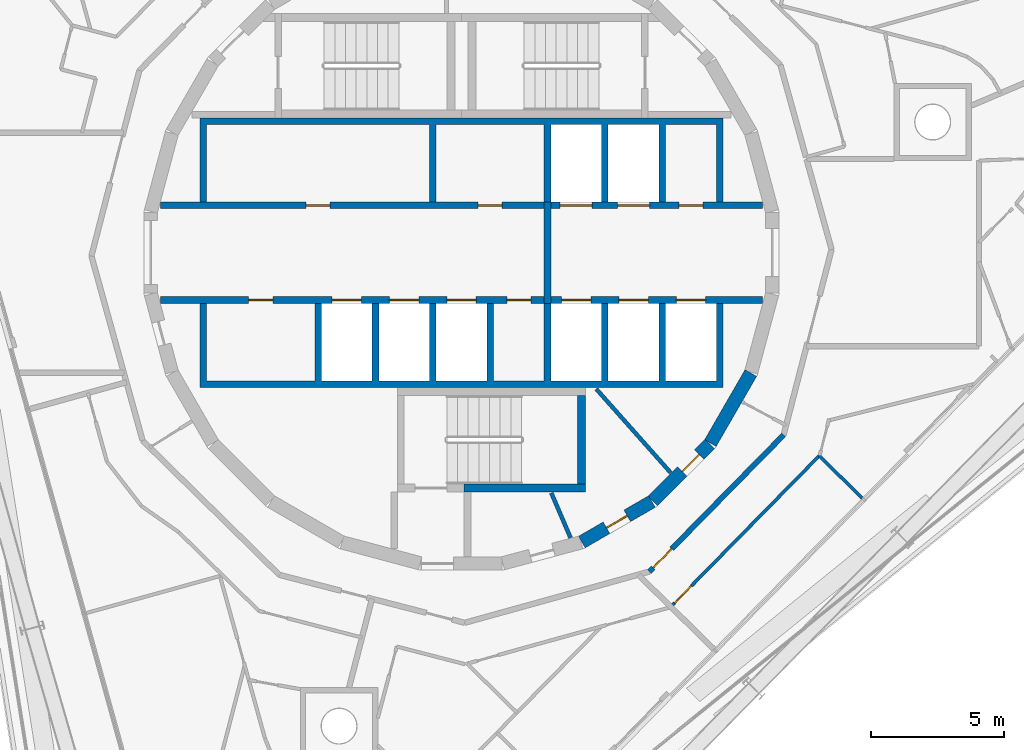
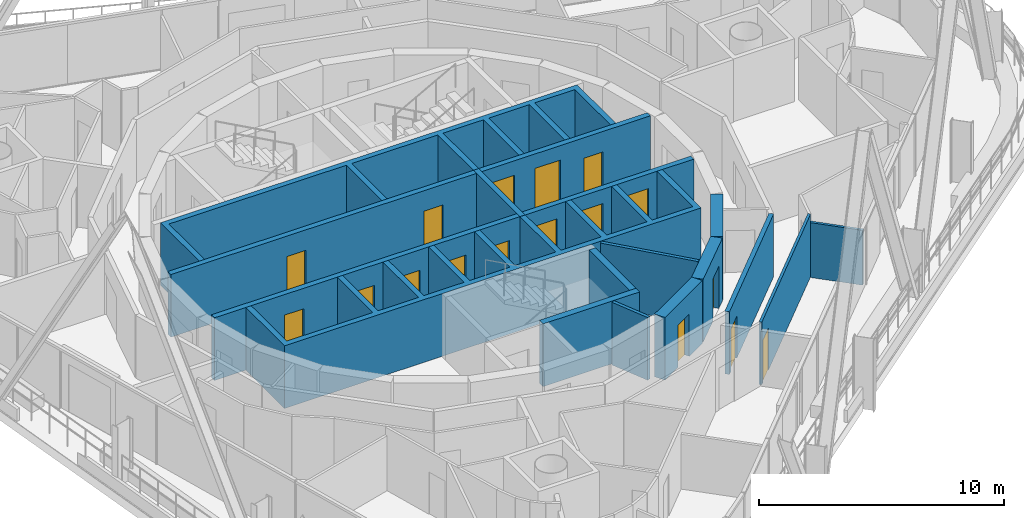
# One storey, part 11 of 18: 17 doors, 17 walls, 17 openings.
"""IFC4 building model written with IfcOpenShell, lengths in metres."""

import ifcopenshell
import ifcopenshell.guid

model = None  # the IFC model being written
_history = None  # IfcOwnerHistory: only IFC2X3 demands one
_inside = {}  # id of a spatial element -> (the spatial element, [elements in it])
_under = {}  # id of a project, library or spatial element -> (it, [spatial elements below it])
_declared = {}  # id of a project -> (the project, [libraries it declares])
_typed = {}  # id of a type object -> (the type object, [elements of that type])
_made_of = {}  # id of a material, layer set ... -> (it, [elements and type objects made of it])


def new_model(schema):
    """Start an empty IFC model of exactly this schema.

    Asked for "IFC4X3", IfcOpenShell would pick the latest addendum, in which some entities
    have other attributes; the version numbers below select the first issue.
    IFC2X3 requires an IfcOwnerHistory on every rooted entity: one is made here for all.
    """
    global model, _history
    if schema == "IFC4X3":
        model = ifcopenshell.file(schema_version=(4, 3, 0, 0))
    else:
        model = ifcopenshell.file(schema=schema)
    _inside.clear()
    _under.clear()
    _declared.clear()
    _typed.clear()
    _made_of.clear()
    _history = None
    if model.schema == "IFC2X3":
        org = make("IfcOrganization", Name="unknown")
        user = make(
            "IfcPersonAndOrganization",
            ThePerson=make("IfcPerson", FamilyName="unknown"),
            TheOrganization=org,
        )
        app = make(
            "IfcApplication",
            ApplicationDeveloper=org,
            Version="unknown",
            ApplicationFullName="unknown",
            ApplicationIdentifier="unknown",
        )
        _history = make(
            "IfcOwnerHistory",
            OwningUser=user,
            OwningApplication=app,
            ChangeAction="ADDED",
            CreationDate=0,
        )
    return model


def make(cls, **values):
    """One entity of the class cls with the attributes given. An attribute that is None is left unset."""
    return model.create_entity(
        cls, **{name: value for name, value in values.items() if value is not None}
    )


def rooted(cls, **values):
    """An entity with a GlobalId (a new one), such as an element, a storey or a relation."""
    return make(cls, GlobalId=ifcopenshell.guid.new(), OwnerHistory=_history, **values)


def si_unit(unit_type, name, prefix=None):
    """IfcSIUnit, for example si_unit("LENGTHUNIT", "METRE", prefix="MILLI")."""
    return make("IfcSIUnit", UnitType=unit_type, Prefix=prefix, Name=name)


def assignment(units):
    """IfcUnitAssignment: the units of a project."""
    return None if units is None else make("IfcUnitAssignment", Units=units)


def point(xyz):
    """IfcCartesianPoint."""
    return None if xyz is None else make("IfcCartesianPoint", Coordinates=xyz)


def direction(xyz):
    """IfcDirection."""
    return None if xyz is None else make("IfcDirection", DirectionRatios=xyz)


def frame(location, z_axis=None, x_axis=None):
    """IfcAxis2Placement3D, a coordinate frame: its origin and axes. An axis left out is left unset."""
    return make(
        "IfcAxis2Placement3D",
        Location=point(location),
        Axis=direction(z_axis),
        RefDirection=direction(x_axis),
    )


def frame_2d(location, x_axis=None):
    """IfcAxis2Placement2D, a coordinate frame in the plane: its origin and x axis."""
    return make(
        "IfcAxis2Placement2D", Location=point(location), RefDirection=direction(x_axis)
    )


def origin():
    """The frame at (0, 0, 0) with its axes left unset."""
    return frame((0.0, 0.0, 0.0))


def place(relative_to, where):
    """IfcLocalPlacement: puts the frame where relative to a parent placement (None: the world)."""
    return make(
        "IfcLocalPlacement", PlacementRelTo=relative_to, RelativePlacement=where
    )


def context(
    kind, dimensions, precision=None, world=None, true_north=None, identifier=None
):
    """IfcGeometricRepresentationContext, for example the 3D "Model" context."""
    return make(
        "IfcGeometricRepresentationContext",
        ContextIdentifier=identifier,
        ContextType=kind,
        CoordinateSpaceDimension=dimensions,
        Precision=precision,
        WorldCoordinateSystem=world,
        TrueNorth=true_north,
    )


def subcontext(parent, identifier, kind, view, scale=None):
    """IfcGeometricRepresentationSubContext, for example "Body" below "Model"."""
    return make(
        "IfcGeometricRepresentationSubContext",
        ContextIdentifier=identifier,
        ContextType=kind,
        ParentContext=parent,
        TargetScale=scale,
        TargetView=view,
    )


def project(units=None, contexts=None):
    """IfcProject with its units and contexts."""
    return rooted(
        "IfcProject",
        Name="project",
        RepresentationContexts=contexts,
        UnitsInContext=assignment(units),
    )


def spatial(cls, under=None, at=None, **own):
    """A site, building, storey or space (cls), placed at a placement, below another one or the project."""
    s = rooted(cls, ObjectPlacement=at, **own)
    if under is not None:
        _under.setdefault(under.id(), (under, []))[1].append(s)
    return s


def polyline(points):
    """IfcPolyline through the points."""
    return make("IfcPolyline", Points=[point(p) for p in points])


def profile(cls, at=None, kind="AREA", **sizes):
    """A parametric profile (cls). Its sizes go by their IFC names, for example OverallWidth=200.0."""
    return make(cls, ProfileType=kind, Position=at, **sizes)


def rectangle(**sizes):
    """IfcRectangleProfileDef."""
    return profile("IfcRectangleProfileDef", **sizes)


def outline(outer, holes=None, kind="AREA"):
    """IfcArbitraryClosedProfileDef: a profile drawn as a closed curve; with holes, ...WithVoids."""
    if holes is None:
        return make("IfcArbitraryClosedProfileDef", ProfileType=kind, OuterCurve=outer)
    return make(
        "IfcArbitraryProfileDefWithVoids",
        ProfileType=kind,
        OuterCurve=outer,
        InnerCurves=holes,
    )


def extrude(swept, where, along, depth):
    """IfcExtrudedAreaSolid: the profile swept, set in the frame where, extruded along a direction by depth."""
    return make(
        "IfcExtrudedAreaSolid",
        SweptArea=swept,
        Position=where,
        ExtrudedDirection=direction(along),
        Depth=depth,
    )


def shape(context_of_items, identifier, shape_type, items):
    """IfcShapeRepresentation: the items that make up one representation, for example the "Body"."""
    return make(
        "IfcShapeRepresentation",
        ContextOfItems=context_of_items,
        RepresentationIdentifier=identifier,
        RepresentationType=shape_type,
        Items=items,
    )


def material(Name=None, Category=None):
    """IfcMaterial."""
    return make("IfcMaterial", Name=Name, Category=Category)


def layer(
    of_material, thickness, ventilated=None, Name=None, Category=None, Priority=None
):
    """IfcMaterialLayer: one layer of a wall or slab, of a material (None: an air gap)."""
    return make(
        "IfcMaterialLayer",
        Material=of_material,
        LayerThickness=thickness,
        IsVentilated=ventilated,
        Name=Name,
        Category=Category,
        Priority=Priority,
    )


def layer_set(layers, Name=None):
    """IfcMaterialLayerSet."""
    return make("IfcMaterialLayerSet", MaterialLayers=layers, LayerSetName=Name)


def made_of(thing, what):
    """Note that an element or type object is made of a material, layer set ...; save() writes the relation."""
    if what is not None:
        _made_of.setdefault(what.id(), (what, []))[1].append(thing)
    return thing


def type_object(cls, material=None, **own):
    """A type object (cls), such as IfcWallType, which elements share."""
    return made_of(rooted(cls, **own), material)


def element(
    cls,
    number,
    at=None,
    inside=None,
    cuts=None,
    type_object=None,
    material=None,
    context=None,
    identifier="Body",
    shape_type=None,
    held_by="IfcProductDefinitionShape",
    body=None,
    shapes=None,
    **own,
):
    """One element of the class cls, such as IfcWall. Its Tag is "e" and its number.

    at: its placement. inside: the storey or other place that contains it. cuts: it is an
    opening in that element (IfcRelVoidsElement). A single representation is given by context,
    identifier, shape_type and body (its items); several are given by shapes. held_by: the class
    of the entity that holds the representations. save() writes the other relations.
    """
    e = rooted(cls, Tag="e%d" % number, ObjectPlacement=at, **own)
    if body is not None:
        shapes = [shape(context, identifier, shape_type, body)]
    if shapes is not None:
        e.Representation = make(held_by, Representations=shapes)
    if inside is not None:
        _inside.setdefault(inside.id(), (inside, []))[1].append(e)
    if cuts is not None:
        rooted(
            "IfcRelVoidsElement", RelatingBuildingElement=cuts, RelatedOpeningElement=e
        )
    if type_object is not None:
        _typed.setdefault(type_object.id(), (type_object, []))[1].append(e)
    return made_of(e, material)


def fill(opening, filler):
    """IfcRelFillsElement: the door or window that sits in an opening."""
    return rooted(
        "IfcRelFillsElement",
        RelatingOpeningElement=opening,
        RelatedBuildingElement=filler,
    )


def aggregate(whole, parts):
    """IfcRelAggregates: a whole, such as a stair, and the parts it consists of."""
    return rooted("IfcRelAggregates", RelatingObject=whole, RelatedObjects=parts)


def save(model, path):
    """Write the relations noted so far, then the file.

    IfcRelAggregates (storeys below a building ...), IfcRelContainedInSpatialStructure (elements
    in a storey), IfcRelDefinesByType, IfcRelAssociatesMaterial and IfcRelDeclares: one each for
    every whole, place, type object, material and project.
    """
    for whole, parts in _under.values():
        aggregate(whole, parts)
    for where, things in _inside.values():
        rooted(
            "IfcRelContainedInSpatialStructure",
            RelatedElements=things,
            RelatingStructure=where,
        )
    for kind, things in _typed.values():
        rooted("IfcRelDefinesByType", RelatedObjects=things, RelatingType=kind)
    for what, things in _made_of.values():
        rooted("IfcRelAssociatesMaterial", RelatedObjects=things, RelatingMaterial=what)
    for by, libraries in _declared.values():
        rooted("IfcRelDeclares", RelatingContext=by, RelatedDefinitions=libraries)
    model.write(path)


model = new_model("IFC4")

# Units and contexts
model_context = context("Model", 3, precision=1e-05, world=origin(), true_north=direction((0.0, 1.0)))
body_context = subcontext(model_context, "Body", "Model", "MODEL_VIEW")
ifc_project = project(units=[si_unit("LENGTHUNIT", "METRE"), si_unit("AREAUNIT", "SQUARE_METRE"), si_unit("VOLUMEUNIT", "CUBIC_METRE"), si_unit("PLANEANGLEUNIT", "RADIAN"), si_unit("MASSUNIT", "GRAM", prefix="KILO")], contexts=[model_context])

# Site, building, storey
site_placement = place(None, origin())
site = spatial("IfcSite", under=ifc_project, at=site_placement, CompositionType="ELEMENT")
building_placement = place(site_placement, origin())
building = spatial("IfcBuilding", under=site, at=building_placement, Name="Spindle Arch Residences", CompositionType="ELEMENT")
storey_placement = place(building_placement, frame((0.0, 0.0, 298.199951171875)))
storey = spatial("IfcBuildingStorey", under=building, at=storey_placement, Name="L76", CompositionType="ELEMENT", Elevation=298.199951171875)

# Wall, opening, door
ifc_material_1 = material(Name="Concrete C50/60", Category="concrete")
ifc_layer_1 = layer(ifc_material_1, 0.5)
ifc_layer_set_1 = layer_set([ifc_layer_1], Name="Core outline wall 500")
wall_type_1 = type_object("IfcWallType", Name="Core outline wall 500", PredefinedType="SHEAR", material=ifc_layer_set_1)
wall_1_placement = place(storey_placement, frame((4.510498046875, -10.84521484375, 0.0), z_axis=(0.0, 0.0, 1.0), x_axis=(0.865975092491, 0.500087131594, 0.0)))
wall_1 = element("IfcWall", 1, at=wall_1_placement, inside=storey, type_object=wall_type_1, Name="Core outline wall 2", PredefinedType="SHEAR", context=body_context, shape_type="SweptSolid", body=[
    extrude(rectangle(XDim=3.03271484375, YDim=0.5, at=frame_2d((1.516357421875, 0.0))), origin(), (0.0, 0.0, 1.0), 3.1201171875),
])
opening_1_placement = place(wall_1_placement, frame((1.06640625, 0.0, 0.0)))
opening_1 = element("IfcOpeningElement", 2, at=opening_1_placement, cuts=wall_1, Name="Opening R8A0-WD09", PredefinedType="OPENING", context=body_context, shape_type="SweptSolid", body=[
    extrude(rectangle(XDim=0.89990234375, YDim=2.10009765625, at=frame_2d((0.449951171875, 1.050048828125))), frame((0.0, 0.260009765625, 0.0), z_axis=(0.0, -1.0, 0.0), x_axis=(1.0, 0.0, 0.0)), (0.0, 0.0, 1.0), 0.52001953125),
])
ifc_material_2 = material(Name="Steel, fire-resisting door", Category="steel")
door_type_1 = type_object("IfcDoorType", Name="Service room door 900x2100", OperationType="SINGLE_SWING_LEFT", PredefinedType="DOOR", material=ifc_material_2)
door_1_placement = place(opening_1_placement, origin())
door_1 = element("IfcDoor", 3, at=door_1_placement, inside=storey, type_object=door_type_1, Name="Service room door R8A0-WD09", OperationType="SINGLE_SWING_LEFT", OverallHeight=2.10009765625, OverallWidth=0.89990234375, PredefinedType="DOOR", context=body_context, shape_type="SweptSolid", body=[
    extrude(rectangle(XDim=0.89990234375, YDim=2.10009765625, at=frame_2d((0.449951171875, 1.050048828125))), frame((0.0, 0.02490234375, 0.0), z_axis=(0.0, -1.0, 0.0), x_axis=(1.0, 0.0, 0.0)), (0.0, 0.0, 1.0), 0.050048828125),
])
fill(opening_1, door_1)

wall_2_placement = place(storey_placement, frame((7.163818359375, -9.30810546875, 0.0), z_axis=(0.0, 0.0, 1.0), x_axis=(0.707106781187, 0.707106781187, 0.0)))
wall_2 = element("IfcWall", 4, at=wall_2_placement, inside=storey, type_object=wall_type_1, Name="Core outline wall 3", PredefinedType="SHEAR", context=body_context, shape_type="SweptSolid", body=[
    extrude(rectangle(XDim=3.032470703125, YDim=0.5, at=frame_2d((1.51611328125, 0.0))), origin(), (0.0, 0.0, 1.0), 3.1201171875),
])
opening_2_placement = place(wall_2_placement, frame((1.56640625, 0.0, 0.0)))
opening_2 = element("IfcOpeningElement", 5, at=opening_2_placement, cuts=wall_2, Name="Opening R8A0-WD07", PredefinedType="OPENING", context=body_context, shape_type="SweptSolid", body=[
    extrude(rectangle(XDim=0.89990234375, YDim=2.10009765625, at=frame_2d((0.449951171875, 1.050048828125))), frame((0.0, 0.260009765625, 0.0), z_axis=(0.0, -1.0, 0.0), x_axis=(1.0, 0.0, 0.0)), (0.0, 0.0, 1.0), 0.52001953125),
])
door_2_placement = place(opening_2_placement, origin())
door_2 = element("IfcDoor", 6, at=door_2_placement, inside=storey, type_object=door_type_1, Name="Service room door R8A0-WD07", OperationType="SINGLE_SWING_LEFT", OverallHeight=2.10009765625, OverallWidth=0.89990234375, PredefinedType="DOOR", context=body_context, shape_type="SweptSolid", body=[
    extrude(rectangle(XDim=0.89990234375, YDim=2.10009765625, at=frame_2d((0.449951171875, 1.050048828125))), frame((0.0, 0.02490234375, 0.0), z_axis=(0.0, -1.0, 0.0), x_axis=(1.0, 0.0, 0.0)), (0.0, 0.0, 1.0), 0.050048828125),
])
fill(opening_2, door_2)

# Wall
wall_3_placement = place(storey_placement, frame((9.32861328125, -7.13671875, 0.0), z_axis=(0.0, 0.0, 1.0), x_axis=(0.500087131594, 0.865975092491, 0.0)))
element("IfcWall", 7, at=wall_3_placement, inside=storey, type_object=wall_type_1, Name="Core outline wall 4", PredefinedType="SHEAR", context=body_context, shape_type="SweptSolid", body=[
    extrude(rectangle(XDim=3.03271484375, YDim=0.5, at=frame_2d((1.516357421875, 0.0))), origin(), (0.0, 0.0, 1.0), 3.1201171875),
])

# Wall, opening, door
ifc_material_3 = material(Name="Calcium silicate block, plastered")
ifc_layer_2 = layer(ifc_material_3, 0.199951171875)
ifc_layer_set_2 = layer_set([ifc_layer_2], Name="Corridor wall 200")
wall_type_2 = type_object("IfcWallType", Name="Corridor wall 200", PredefinedType="STANDARD", material=ifc_layer_set_2)
wall_4_placement = place(storey_placement, frame((7.041015625, -11.953125, 0.0), z_axis=(0.0, 0.0, 1.0), x_axis=(0.70090916255, 0.713250549143, 0.0)))
wall_4 = element("IfcWall", 8, at=wall_4_placement, inside=storey, type_object=wall_type_2, Name="Corridor wall R8A0-W016", PredefinedType="STANDARD", context=body_context, shape_type="SweptSolid", body=[
    extrude(rectangle(XDim=7.180908203125, YDim=0.199951171875, at=frame_2d((3.59033203125, 0.0))), origin(), (0.0, 0.0, 1.0), 3.1201171875),
])
opening_3_placement = place(wall_4_placement, frame((0.199951171875, 0.0, 0.0)))
opening_3 = element("IfcOpeningElement", 9, at=opening_3_placement, cuts=wall_4, Name="Opening R8A0-FD06", PredefinedType="OPENING", context=body_context, shape_type="SweptSolid", body=[
    extrude(rectangle(XDim=1.0, YDim=2.10009765625, at=frame_2d((0.5, 1.050048828125))), frame((0.0, 0.10986328125, 0.0), z_axis=(0.0, -1.0, 0.0), x_axis=(1.0, 0.0, 0.0)), (0.0, 0.0, 1.0), 0.219970703125),
])
ifc_material_4 = material(Name="Timber, fire-resisting door set", Category="wood")
door_type_2 = type_object("IfcDoorType", Name="Flat entrance door 1000x2100", OperationType="NOTDEFINED", PredefinedType="DOOR", material=ifc_material_4)
door_3_placement = place(opening_3_placement, origin())
door_3 = element("IfcDoor", 10, at=door_3_placement, inside=storey, type_object=door_type_2, Name="Flat entrance door R8A0-FD06", OperationType="SINGLE_SWING_LEFT", OverallHeight=2.10009765625, OverallWidth=1.0, PredefinedType="DOOR", context=body_context, shape_type="SweptSolid", body=[
    extrude(rectangle(XDim=1.0, YDim=2.10009765625, at=frame_2d((0.5, 1.050048828125))), frame((0.0, 0.02490234375, 0.0), z_axis=(0.0, -1.0, 0.0), x_axis=(1.0, 0.0, 0.0)), (0.0, 0.0, 1.0), 0.050048828125),
])
fill(opening_3, door_3)

# Wall, openings, doors
ifc_material_5 = material(Name="Concrete C40/50", Category="concrete")
ifc_layer_3 = layer(ifc_material_5, 0.25)
ifc_layer_set_3 = layer_set([ifc_layer_3], Name="Fire-lift lobby wall 250")
wall_type_3 = type_object("IfcWallType", Name="Fire-lift lobby wall 250", PredefinedType="SHEAR", material=ifc_layer_set_3)
wall_5_placement = place(storey_placement, frame((3.35009765625, 1.77490234375, 0.0), z_axis=(0.0, 0.0, 1.0), x_axis=(1.0, 0.0, 0.0)))
wall_5 = element("IfcWall", 11, at=wall_5_placement, inside=storey, type_object=wall_type_3, Name="Lift shaft front wall NE", PredefinedType="SHEAR", context=body_context, shape_type="SweptSolid", body=[
    extrude(rectangle(XDim=7.929931640625, YDim=0.25, at=frame_2d((3.96484375, 0.0))), origin(), (0.0, 0.0, 1.0), 3.1201171875),
])
opening_4_placement = place(wall_5_placement, frame((0.35009765625, 0.0, 0.0)))
opening_4 = element("IfcOpeningElement", 12, at=opening_4_placement, cuts=wall_5, Name="Opening R8A0-SLD01", PredefinedType="OPENING", context=body_context, shape_type="SweptSolid", body=[
    extrude(rectangle(XDim=1.199951171875, YDim=2.39990234375, at=frame_2d((0.60009765625, 1.199951171875))), frame((0.0, 0.135009765625, 0.0), z_axis=(0.0, -1.0, 0.0), x_axis=(1.0, 0.0, 0.0)), (0.0, 0.0, 1.0), 0.27001953125),
])
opening_5_placement = place(wall_5_placement, frame((2.5, 0.0, 0.0)))
opening_5 = element("IfcOpeningElement", 13, at=opening_5_placement, cuts=wall_5, Name="Opening R8A0-SLD02", PredefinedType="OPENING", context=body_context, shape_type="SweptSolid", body=[
    extrude(rectangle(XDim=1.199951171875, YDim=2.39990234375, at=frame_2d((0.60009765625, 1.199951171875))), frame((0.0, 0.135009765625, 0.0), z_axis=(0.0, -1.0, 0.0), x_axis=(1.0, 0.0, 0.0)), (0.0, 0.0, 1.0), 0.27001953125),
])
opening_6_placement = place(wall_5_placement, frame((4.800048828125, 0.0, 0.0)))
opening_6 = element("IfcOpeningElement", 14, at=opening_6_placement, cuts=wall_5, Name="Opening R8A0-WD03", PredefinedType="OPENING", context=body_context, shape_type="SweptSolid", body=[
    extrude(rectangle(XDim=0.89990234375, YDim=2.10009765625, at=frame_2d((0.449951171875, 1.050048828125))), frame((0.0, 0.135009765625, 0.0), z_axis=(0.0, -1.0, 0.0), x_axis=(1.0, 0.0, 0.0)), (0.0, 0.0, 1.0), 0.27001953125),
])
ifc_material_6 = material(Name="Steel, fire-resisting landing door", Category="steel")
door_type_3 = type_object("IfcDoorType", Name="Service lift landing door 1200x2400", OperationType="DOUBLE_DOOR_SLIDING", PredefinedType="DOOR", material=ifc_material_6)
door_4_placement = place(opening_4_placement, origin())
door_4 = element("IfcDoor", 15, at=door_4_placement, inside=storey, type_object=door_type_3, Name="Service lift landing door R8A0-SLD01", OperationType="DOUBLE_DOOR_SLIDING", OverallHeight=2.39990234375, OverallWidth=1.199951171875, PredefinedType="DOOR", context=body_context, shape_type="SweptSolid", body=[
    extrude(rectangle(XDim=1.199951171875, YDim=2.39990234375, at=frame_2d((0.60009765625, 1.199951171875))), frame((0.0, 0.02490234375, 0.0), z_axis=(0.0, -1.0, 0.0), x_axis=(1.0, 0.0, 0.0)), (0.0, 0.0, 1.0), 0.050048828125),
])
fill(opening_4, door_4)
door_5_placement = place(opening_5_placement, origin())
door_5 = element("IfcDoor", 16, at=door_5_placement, inside=storey, type_object=door_type_3, Name="Service lift landing door R8A0-SLD02", OperationType="DOUBLE_DOOR_SLIDING", OverallHeight=2.39990234375, OverallWidth=1.199951171875, PredefinedType="DOOR", context=body_context, shape_type="SweptSolid", body=[
    extrude(rectangle(XDim=1.199951171875, YDim=2.39990234375, at=frame_2d((0.60009765625, 1.199951171875))), frame((0.0, 0.02490234375, 0.0), z_axis=(0.0, -1.0, 0.0), x_axis=(1.0, 0.0, 0.0)), (0.0, 0.0, 1.0), 0.050048828125),
])
fill(opening_5, door_5)
door_6_placement = place(opening_6_placement, origin())
door_6 = element("IfcDoor", 17, at=door_6_placement, inside=storey, type_object=door_type_1, Name="Service room door R8A0-WD03", OperationType="SINGLE_SWING_LEFT", OverallHeight=2.10009765625, OverallWidth=0.89990234375, PredefinedType="DOOR", context=body_context, shape_type="SweptSolid", body=[
    extrude(rectangle(XDim=0.89990234375, YDim=2.10009765625, at=frame_2d((0.449951171875, 1.050048828125))), frame((0.0, 0.02490234375, 0.0), z_axis=(0.0, -1.0, 0.0), x_axis=(1.0, 0.0, 0.0)), (0.0, 0.0, 1.0), 0.050048828125),
])
fill(opening_6, door_6)

# Wall
wall_6_placement = place(storey_placement, frame((3.22509765625, -1.89990234375, 0.0), z_axis=(0.0, 0.0, 1.0), x_axis=(0.0, 1.0, 0.0)))
element("IfcWall", 18, at=wall_6_placement, inside=storey, type_object=wall_type_3, Name="Fire-fighting lobby partition", PredefinedType="SHEAR", context=body_context, shape_type="SweptSolid", body=[
    extrude(rectangle(XDim=3.7998046875, YDim=0.25, at=frame_2d((1.89990234375, 0.0))), origin(), (0.0, 0.0, 1.0), 3.1201171875),
])

# Wall, openings, doors
ifc_material_7 = material(Name="Concrete C50/60", Category="concrete")
ifc_layer_4 = layer(ifc_material_7, 0.25)
ifc_layer_set_4 = layer_set([ifc_layer_4], Name="Fire-lift shaft wall 250")
wall_type_4 = type_object("IfcWallType", Name="Fire-lift shaft wall 250", PredefinedType="SHEAR", material=ifc_layer_set_4)
wall_7_placement = place(storey_placement, frame((3.35009765625, -1.77490234375, 0.0), z_axis=(0.0, 0.0, 1.0), x_axis=(1.0, 0.0, 0.0)))
wall_7 = element("IfcWall", 19, at=wall_7_placement, inside=storey, type_object=wall_type_4, Name="Lift shaft front wall SE", PredefinedType="SHEAR", context=body_context, shape_type="SweptSolid", body=[
    extrude(rectangle(XDim=7.929931640625, YDim=0.25, at=frame_2d((3.96484375, 0.0))), origin(), (0.0, 0.0, 1.0), 3.1201171875),
])
opening_7_placement = place(wall_7_placement, frame((0.39990234375, 0.0, 0.0)))
opening_7 = element("IfcOpeningElement", 20, at=opening_7_placement, cuts=wall_7, Name="Opening R8A0-FLD01", PredefinedType="OPENING", context=body_context, shape_type="SweptSolid", body=[
    extrude(rectangle(XDim=1.10009765625, YDim=2.39990234375, at=frame_2d((0.550048828125, 1.199951171875))), frame((0.0, 0.135009765625, 0.0), z_axis=(0.0, -1.0, 0.0), x_axis=(1.0, 0.0, 0.0)), (0.0, 0.0, 1.0), 0.27001953125),
])
opening_8_placement = place(wall_7_placement, frame((2.550048828125, 0.0, 0.0)))
opening_8 = element("IfcOpeningElement", 21, at=opening_8_placement, cuts=wall_7, Name="Opening R8A0-FLD02", PredefinedType="OPENING", context=body_context, shape_type="SweptSolid", body=[
    extrude(rectangle(XDim=1.10009765625, YDim=2.39990234375, at=frame_2d((0.550048828125, 1.199951171875))), frame((0.0, 0.135009765625, 0.0), z_axis=(0.0, -1.0, 0.0), x_axis=(1.0, 0.0, 0.0)), (0.0, 0.0, 1.0), 0.27001953125),
])
opening_9_placement = place(wall_7_placement, frame((4.699951171875, 0.0, 0.0)))
opening_9 = element("IfcOpeningElement", 22, at=opening_9_placement, cuts=wall_7, Name="Opening R8A0-FLD03", PredefinedType="OPENING", context=body_context, shape_type="SweptSolid", body=[
    extrude(rectangle(XDim=1.10009765625, YDim=2.39990234375, at=frame_2d((0.550048828125, 1.199951171875))), frame((0.0, 0.135009765625, 0.0), z_axis=(0.0, -1.0, 0.0), x_axis=(1.0, 0.0, 0.0)), (0.0, 0.0, 1.0), 0.27001953125),
])
ifc_material_8 = material(Name="Steel, fire-resisting landing door", Category="steel")
door_type_4 = type_object("IfcDoorType", Name="Fire-fighting lift landing door 1100x2400", OperationType="DOUBLE_DOOR_SLIDING", PredefinedType="DOOR", material=ifc_material_8)
door_7_placement = place(opening_7_placement, origin())
door_7 = element("IfcDoor", 23, at=door_7_placement, inside=storey, type_object=door_type_4, Name="Fire-fighting lift landing door R8A0-FLD01", OperationType="DOUBLE_DOOR_SLIDING", OverallHeight=2.39990234375, OverallWidth=1.10009765625, PredefinedType="DOOR", context=body_context, shape_type="SweptSolid", body=[
    extrude(rectangle(XDim=1.10009765625, YDim=2.39990234375, at=frame_2d((0.550048828125, 1.199951171875))), frame((0.0, 0.02490234375, 0.0), z_axis=(0.0, -1.0, 0.0), x_axis=(1.0, 0.0, 0.0)), (0.0, 0.0, 1.0), 0.050048828125),
])
fill(opening_7, door_7)
door_8_placement = place(opening_8_placement, origin())
door_8 = element("IfcDoor", 24, at=door_8_placement, inside=storey, type_object=door_type_4, Name="Fire-fighting lift landing door R8A0-FLD02", OperationType="DOUBLE_DOOR_SLIDING", OverallHeight=2.39990234375, OverallWidth=1.10009765625, PredefinedType="DOOR", context=body_context, shape_type="SweptSolid", body=[
    extrude(rectangle(XDim=1.10009765625, YDim=2.39990234375, at=frame_2d((0.550048828125, 1.199951171875))), frame((0.0, 0.02490234375, 0.0), z_axis=(0.0, -1.0, 0.0), x_axis=(1.0, 0.0, 0.0)), (0.0, 0.0, 1.0), 0.050048828125),
])
fill(opening_8, door_8)
door_9_placement = place(opening_9_placement, origin())
door_9 = element("IfcDoor", 25, at=door_9_placement, inside=storey, type_object=door_type_4, Name="Fire-fighting lift landing door R8A0-FLD03", OperationType="DOUBLE_DOOR_SLIDING", OverallHeight=2.39990234375, OverallWidth=1.10009765625, PredefinedType="DOOR", context=body_context, shape_type="SweptSolid", body=[
    extrude(rectangle(XDim=1.10009765625, YDim=2.39990234375, at=frame_2d((0.550048828125, 1.199951171875))), frame((0.0, 0.02490234375, 0.0), z_axis=(0.0, -1.0, 0.0), x_axis=(1.0, 0.0, 0.0)), (0.0, 0.0, 1.0), 0.050048828125),
])
fill(opening_9, door_9)

# Wall, opening, door
ifc_material_9 = material(Name="Plasterboard on steel studs", Category="steel")
ifc_layer_5 = layer(ifc_material_9, 0.1201171875)
ifc_layer_set_5 = layer_set([ifc_layer_5], Name="Flat partition 120")
wall_type_5 = type_object("IfcWallType", Name="Flat partition 120", PredefinedType="PARTITIONING", material=ifc_layer_set_5)
wall_8_placement = place(storey_placement, frame((7.846435546875, -13.2734375, 0.0), z_axis=(0.0, 0.0, 1.0), x_axis=(0.700911018066, 0.713248725728, 0.0)))
wall_8 = element("IfcWall", 26, at=wall_8_placement, inside=storey, type_object=wall_type_5, Name="Flat partition R8A0-W096", PredefinedType="PARTITIONING", context=body_context, shape_type="SweptSolid", body=[
    extrude(rectangle(XDim=7.93505859375, YDim=0.1201171875, at=frame_2d((3.967529296875, 0.0))), origin(), (0.0, 0.0, 1.0), 3.1201171875),
])
opening_10_placement = place(wall_8_placement, frame((0.199951171875, 0.0, 0.0)))
opening_10 = element("IfcOpeningElement", 27, at=opening_10_placement, cuts=wall_8, Name="Opening R8A0-ID21", PredefinedType="OPENING", context=body_context, shape_type="SweptSolid", body=[
    extrude(rectangle(XDim=0.89990234375, YDim=2.10009765625, at=frame_2d((0.449951171875, 1.050048828125))), frame((0.0, 0.070068359375, 0.0), z_axis=(0.0, -1.0, 0.0), x_axis=(1.0, 0.0, 0.0)), (0.0, 0.0, 1.0), 0.14013671875),
])
ifc_material_10 = material(Name="Timber door set", Category="wood")
door_type_5 = type_object("IfcDoorType", Name="Room door 900x2100", OperationType="NOTDEFINED", PredefinedType="DOOR", material=ifc_material_10)
door_10_placement = place(opening_10_placement, origin())
door_10 = element("IfcDoor", 28, at=door_10_placement, inside=storey, type_object=door_type_5, Name="Room door R8A0-ID21", OperationType="SINGLE_SWING_LEFT", OverallHeight=2.10009765625, OverallWidth=0.89990234375, PredefinedType="DOOR", context=body_context, shape_type="SweptSolid", body=[
    extrude(rectangle(XDim=0.89990234375, YDim=2.10009765625, at=frame_2d((0.449951171875, 1.050048828125))), frame((0.0, 0.02490234375, 0.0), z_axis=(0.0, -1.0, 0.0), x_axis=(1.0, 0.0, 0.0)), (0.0, 0.0, 1.0), 0.050048828125),
])
fill(opening_10, door_10)

# Wall
ifc_material_11 = material(Name="Plasterboard on steel studs", Category="steel")
ifc_layer_6 = layer(ifc_material_11, 0.1201171875)
ifc_layer_set_6 = layer_set([ifc_layer_6], Name="Flat partition 120 under beam 2730")
wall_type_6 = type_object("IfcWallType", Name="Flat partition 120 under beam 2730", PredefinedType="PARTITIONING", material=ifc_layer_set_6)
wall_9_placement = place(storey_placement, frame((15.023681640625, -9.200927734375, 0.0), z_axis=(0.0, 0.0, 1.0), x_axis=(-0.713331704042, 0.700826569137, 0.0)))
element("IfcWall", 29, at=wall_9_placement, inside=storey, type_object=wall_type_6, Name="Flat partition R8A0-W109", PredefinedType="PARTITIONING", context=body_context, shape_type="SweptSolid", body=[
    extrude(rectangle(XDim=2.2646484375, YDim=0.1201171875, at=frame_2d((1.13232421875, 0.0))), origin(), (0.0, 0.0, 1.0), 2.72998046875),
])

# Wall, openings, doors
ifc_material_12 = material(Name="Concrete C50/60", Category="concrete")
ifc_layer_7 = layer(ifc_material_12, 0.25)
ifc_layer_set_7 = layer_set([ifc_layer_7], Name="Lift shaft wall 250")
wall_type_7 = type_object("IfcWallType", Name="Lift shaft wall 250", PredefinedType="SHEAR", material=ifc_layer_set_7)
wall_10_placement = place(storey_placement, frame((-11.280029296875, 1.77490234375, 0.0), z_axis=(0.0, 0.0, 1.0), x_axis=(1.0, 0.0, 0.0)))
wall_10 = element("IfcWall", 30, at=wall_10_placement, inside=storey, type_object=wall_type_7, Name="Lift shaft front wall NW", PredefinedType="SHEAR", context=body_context, shape_type="SweptSolid", body=[
    extrude(rectangle(XDim=14.380126953125, YDim=0.25, at=frame_2d((7.18994140625, 0.0))), origin(), (0.0, 0.0, 1.0), 3.1201171875),
])
opening_11_placement = place(wall_10_placement, frame((5.455078125, 0.0, 0.0)))
opening_11 = element("IfcOpeningElement", 31, at=opening_11_placement, cuts=wall_10, Name="Opening R8A0-WD01", PredefinedType="OPENING", context=body_context, shape_type="SweptSolid", body=[
    extrude(rectangle(XDim=0.89990234375, YDim=2.10009765625, at=frame_2d((0.449951171875, 1.050048828125))), frame((0.0, 0.135009765625, 0.0), z_axis=(0.0, -1.0, 0.0), x_axis=(1.0, 0.0, 0.0)), (0.0, 0.0, 1.0), 0.27001953125),
])
opening_12_placement = place(wall_10_placement, frame((11.905029296875, 0.0, 0.0)))
opening_12 = element("IfcOpeningElement", 32, at=opening_12_placement, cuts=wall_10, Name="Opening R8A0-WD02", PredefinedType="OPENING", context=body_context, shape_type="SweptSolid", body=[
    extrude(rectangle(XDim=0.89990234375, YDim=2.10009765625, at=frame_2d((0.449951171875, 1.050048828125))), frame((0.0, 0.135009765625, 0.0), z_axis=(0.0, -1.0, 0.0), x_axis=(1.0, 0.0, 0.0)), (0.0, 0.0, 1.0), 0.27001953125),
])
door_11_placement = place(opening_11_placement, origin())
door_11 = element("IfcDoor", 33, at=door_11_placement, inside=storey, type_object=door_type_1, Name="Service room door R8A0-WD01", OperationType="SINGLE_SWING_LEFT", OverallHeight=2.10009765625, OverallWidth=0.89990234375, PredefinedType="DOOR", context=body_context, shape_type="SweptSolid", body=[
    extrude(rectangle(XDim=0.89990234375, YDim=2.10009765625, at=frame_2d((0.449951171875, 1.050048828125))), frame((0.0, 0.02490234375, 0.0), z_axis=(0.0, -1.0, 0.0), x_axis=(1.0, 0.0, 0.0)), (0.0, 0.0, 1.0), 0.050048828125),
])
fill(opening_11, door_11)
door_12_placement = place(opening_12_placement, origin())
door_12 = element("IfcDoor", 34, at=door_12_placement, inside=storey, type_object=door_type_1, Name="Service room door R8A0-WD02", OperationType="SINGLE_SWING_RIGHT", OverallHeight=2.10009765625, OverallWidth=0.89990234375, PredefinedType="DOOR", context=body_context, shape_type="SweptSolid", body=[
    extrude(rectangle(XDim=0.89990234375, YDim=2.10009765625, at=frame_2d((0.449951171875, 1.050048828125))), frame((0.0, 0.02490234375, 0.0), z_axis=(0.0, -1.0, 0.0), x_axis=(1.0, 0.0, 0.0)), (0.0, 0.0, 1.0), 0.050048828125),
])
fill(opening_12, door_12)

wall_11_placement = place(storey_placement, frame((-11.280029296875, -1.77490234375, 0.0), z_axis=(0.0, 0.0, 1.0), x_axis=(1.0, 0.0, 0.0)))
wall_11 = element("IfcWall", 35, at=wall_11_placement, inside=storey, type_object=wall_type_7, Name="Lift shaft front wall SW", PredefinedType="SHEAR", context=body_context, shape_type="SweptSolid", body=[
    extrude(rectangle(XDim=14.380126953125, YDim=0.25, at=frame_2d((7.18994140625, 0.0))), origin(), (0.0, 0.0, 1.0), 3.1201171875),
])
opening_13_placement = place(wall_11_placement, frame((6.429931640625, 0.0, 0.0)))
opening_13 = element("IfcOpeningElement", 36, at=opening_13_placement, cuts=wall_11, Name="Opening R8A0-LD01", PredefinedType="OPENING", context=body_context, shape_type="SweptSolid", body=[
    extrude(rectangle(XDim=1.10009765625, YDim=2.10009765625, at=frame_2d((0.550048828125, 1.050048828125))), frame((0.0, 0.135009765625, 0.0), z_axis=(0.0, -1.0, 0.0), x_axis=(1.0, 0.0, 0.0)), (0.0, 0.0, 1.0), 0.27001953125),
])
opening_14_placement = place(wall_11_placement, frame((8.580078125, 0.0, 0.0)))
opening_14 = element("IfcOpeningElement", 37, at=opening_14_placement, cuts=wall_11, Name="Opening R8A0-LD02", PredefinedType="OPENING", context=body_context, shape_type="SweptSolid", body=[
    extrude(rectangle(XDim=1.10009765625, YDim=2.10009765625, at=frame_2d((0.550048828125, 1.050048828125))), frame((0.0, 0.135009765625, 0.0), z_axis=(0.0, -1.0, 0.0), x_axis=(1.0, 0.0, 0.0)), (0.0, 0.0, 1.0), 0.27001953125),
])
opening_15_placement = place(wall_11_placement, frame((10.72998046875, 0.0, 0.0)))
opening_15 = element("IfcOpeningElement", 38, at=opening_15_placement, cuts=wall_11, Name="Opening R8A0-LD03", PredefinedType="OPENING", context=body_context, shape_type="SweptSolid", body=[
    extrude(rectangle(XDim=1.10009765625, YDim=2.10009765625, at=frame_2d((0.550048828125, 1.050048828125))), frame((0.0, 0.135009765625, 0.0), z_axis=(0.0, -1.0, 0.0), x_axis=(1.0, 0.0, 0.0)), (0.0, 0.0, 1.0), 0.27001953125),
])
opening_16_placement = place(wall_11_placement, frame((3.304931640625, 0.0, 0.0)))
opening_16 = element("IfcOpeningElement", 39, at=opening_16_placement, cuts=wall_11, Name="Opening R8A0-WD04", PredefinedType="OPENING", context=body_context, shape_type="SweptSolid", body=[
    extrude(rectangle(XDim=0.89990234375, YDim=2.10009765625, at=frame_2d((0.449951171875, 1.050048828125))), frame((0.0, 0.135009765625, 0.0), z_axis=(0.0, -1.0, 0.0), x_axis=(1.0, 0.0, 0.0)), (0.0, 0.0, 1.0), 0.27001953125),
])
opening_17_placement = place(wall_11_placement, frame((12.97998046875, 0.0, 0.0)))
opening_17 = element("IfcOpeningElement", 40, at=opening_17_placement, cuts=wall_11, Name="Opening R8A0-WD05", PredefinedType="OPENING", context=body_context, shape_type="SweptSolid", body=[
    extrude(rectangle(XDim=0.89990234375, YDim=2.10009765625, at=frame_2d((0.449951171875, 1.050048828125))), frame((0.0, 0.135009765625, 0.0), z_axis=(0.0, -1.0, 0.0), x_axis=(1.0, 0.0, 0.0)), (0.0, 0.0, 1.0), 0.27001953125),
])
ifc_material_13 = material(Name="Steel, fire-resisting landing door", Category="steel")
door_type_6 = type_object("IfcDoorType", Name="Lift landing door 1100x2100", OperationType="DOUBLE_DOOR_SLIDING", PredefinedType="DOOR", material=ifc_material_13)
door_13_placement = place(opening_13_placement, origin())
door_13 = element("IfcDoor", 41, at=door_13_placement, inside=storey, type_object=door_type_6, Name="Lift landing door R8A0-LD01", OperationType="DOUBLE_DOOR_SLIDING", OverallHeight=2.10009765625, OverallWidth=1.10009765625, PredefinedType="DOOR", context=body_context, shape_type="SweptSolid", body=[
    extrude(rectangle(XDim=1.10009765625, YDim=2.10009765625, at=frame_2d((0.550048828125, 1.050048828125))), frame((0.0, 0.02490234375, 0.0), z_axis=(0.0, -1.0, 0.0), x_axis=(1.0, 0.0, 0.0)), (0.0, 0.0, 1.0), 0.050048828125),
])
fill(opening_13, door_13)
door_14_placement = place(opening_14_placement, origin())
door_14 = element("IfcDoor", 42, at=door_14_placement, inside=storey, type_object=door_type_6, Name="Lift landing door R8A0-LD02", OperationType="DOUBLE_DOOR_SLIDING", OverallHeight=2.10009765625, OverallWidth=1.10009765625, PredefinedType="DOOR", context=body_context, shape_type="SweptSolid", body=[
    extrude(rectangle(XDim=1.10009765625, YDim=2.10009765625, at=frame_2d((0.550048828125, 1.050048828125))), frame((0.0, 0.02490234375, 0.0), z_axis=(0.0, -1.0, 0.0), x_axis=(1.0, 0.0, 0.0)), (0.0, 0.0, 1.0), 0.050048828125),
])
fill(opening_14, door_14)
door_15_placement = place(opening_15_placement, origin())
door_15 = element("IfcDoor", 43, at=door_15_placement, inside=storey, type_object=door_type_6, Name="Lift landing door R8A0-LD03", OperationType="DOUBLE_DOOR_SLIDING", OverallHeight=2.10009765625, OverallWidth=1.10009765625, PredefinedType="DOOR", context=body_context, shape_type="SweptSolid", body=[
    extrude(rectangle(XDim=1.10009765625, YDim=2.10009765625, at=frame_2d((0.550048828125, 1.050048828125))), frame((0.0, 0.02490234375, 0.0), z_axis=(0.0, -1.0, 0.0), x_axis=(1.0, 0.0, 0.0)), (0.0, 0.0, 1.0), 0.050048828125),
])
fill(opening_15, door_15)
door_16_placement = place(opening_16_placement, origin())
door_16 = element("IfcDoor", 44, at=door_16_placement, inside=storey, type_object=door_type_1, Name="Service room door R8A0-WD04", OperationType="SINGLE_SWING_RIGHT", OverallHeight=2.10009765625, OverallWidth=0.89990234375, PredefinedType="DOOR", context=body_context, shape_type="SweptSolid", body=[
    extrude(rectangle(XDim=0.89990234375, YDim=2.10009765625, at=frame_2d((0.449951171875, 1.050048828125))), frame((0.0, 0.02490234375, 0.0), z_axis=(0.0, -1.0, 0.0), x_axis=(1.0, 0.0, 0.0)), (0.0, 0.0, 1.0), 0.050048828125),
])
fill(opening_16, door_16)
door_17_placement = place(opening_17_placement, origin())
door_17 = element("IfcDoor", 45, at=door_17_placement, inside=storey, type_object=door_type_1, Name="Service room door R8A0-WD05", OperationType="SINGLE_SWING_LEFT", OverallHeight=2.10009765625, OverallWidth=0.89990234375, PredefinedType="DOOR", context=body_context, shape_type="SweptSolid", body=[
    extrude(rectangle(XDim=0.89990234375, YDim=2.10009765625, at=frame_2d((0.449951171875, 1.050048828125))), frame((0.0, 0.02490234375, 0.0), z_axis=(0.0, -1.0, 0.0), x_axis=(1.0, 0.0, 0.0)), (0.0, 0.0, 1.0), 0.050048828125),
])
fill(opening_17, door_17)

# Walls
ifc_material_14 = material(Name="Concrete C50/60", Category="concrete")
wall_type_8 = type_object("IfcWallType", Name="Lift shaft wall profile", PredefinedType="SHEAR", material=ifc_material_14)
wall_12_placement = place(storey_placement, origin())
element("IfcWall", 46, at=wall_12_placement, inside=storey, type_object=wall_type_8, Name="Lift shaft walls N", PredefinedType="SHEAR", context=body_context, shape_type="SweptSolid", body=[
    extrude(outline(polyline([(-9.800048828125, 1.89990234375), (-9.550048828125, 1.89990234375), (-9.550048828125, 4.800048828125), (-1.199951171875, 4.800048828125), (-1.199951171875, 1.89990234375), (-0.949951171875, 1.89990234375), (-0.949951171875, 4.800048828125), (3.10009765625, 4.800048828125), (3.10009765625, 1.89990234375), (3.35009765625, 1.89990234375), (3.35009765625, 4.800048828125), (5.25, 4.800048828125), (5.25, 1.89990234375), (5.5, 1.89990234375), (5.5, 4.800048828125), (7.39990234375, 4.800048828125), (7.39990234375, 1.89990234375), (7.64990234375, 1.89990234375), (7.64990234375, 4.800048828125), (9.550048828125, 4.800048828125), (9.550048828125, 1.89990234375), (9.800048828125, 1.89990234375), (9.800048828125, 4.800048828125), (9.800048828125, 5.050048828125), (-9.800048828125, 5.050048828125), (-9.800048828125, 4.800048828125), (-9.800048828125, 1.89990234375)])), origin(), (0.0, 0.0, 1.0), 3.1201171875),
])
wall_13_placement = place(storey_placement, origin())
element("IfcWall", 47, at=wall_13_placement, inside=storey, type_object=wall_type_8, Name="Lift shaft walls S", PredefinedType="SHEAR", context=body_context, shape_type="SweptSolid", body=[
    extrude(outline(polyline([(9.800048828125, -5.050048828125), (9.800048828125, -4.800048828125), (9.800048828125, -1.89990234375), (9.550048828125, -1.89990234375), (9.550048828125, -4.800048828125), (7.64990234375, -4.800048828125), (7.64990234375, -1.89990234375), (7.39990234375, -1.89990234375), (7.39990234375, -4.800048828125), (5.5, -4.800048828125), (5.5, -1.89990234375), (5.25, -1.89990234375), (5.25, -4.800048828125), (3.35009765625, -4.800048828125), (3.35009765625, -1.89990234375), (3.10009765625, -1.89990234375), (3.10009765625, -4.800048828125), (1.199951171875, -4.800048828125), (1.199951171875, -1.89990234375), (0.949951171875, -1.89990234375), (0.949951171875, -4.800048828125), (-0.949951171875, -4.800048828125), (-0.949951171875, -1.89990234375), (-1.199951171875, -1.89990234375), (-1.199951171875, -4.800048828125), (-3.10009765625, -4.800048828125), (-3.10009765625, -1.89990234375), (-3.35009765625, -1.89990234375), (-3.35009765625, -4.800048828125), (-5.25, -4.800048828125), (-5.25, -1.89990234375), (-5.5, -1.89990234375), (-5.5, -4.800048828125), (-9.550048828125, -4.800048828125), (-9.550048828125, -1.89990234375), (-9.800048828125, -1.89990234375), (-9.800048828125, -4.800048828125), (-9.800048828125, -5.050048828125), (9.800048828125, -5.050048828125)])), origin(), (0.0, 0.0, 1.0), 3.1201171875),
])
ifc_material_15 = material(Name="Concrete C25/30", Category="concrete")
ifc_layer_8 = layer(ifc_material_15, 0.14990234375)
ifc_layer_set_8 = layer_set([ifc_layer_8], Name="Service room partition 150")
wall_type_9 = type_object("IfcWallType", Name="Service room partition 150", PredefinedType="PARTITIONING", material=ifc_layer_set_8)
wall_14_placement = place(storey_placement, frame((7.84228515625, -8.24755859375, 0.0), z_axis=(0.0, 0.0, 1.0), x_axis=(-0.66446128181, 0.747322691329, 0.0)))
element("IfcWall", 48, at=wall_14_placement, inside=storey, type_object=wall_type_9, Name="Core service room partition", PredefinedType="PARTITIONING", context=body_context, shape_type="SweptSolid", body=[
    extrude(rectangle(XDim=4.198486328125, YDim=0.14990234375, at=frame_2d((2.09912109375, 0.0))), origin(), (0.0, 0.0, 1.0), 3.1201171875),
])
wall_15_placement = place(storey_placement, frame((3.366943359375, -9.0068359375, 0.0), z_axis=(0.0, 0.0, 1.0), x_axis=(0.394387482265, -0.918944238696, 0.0)))
element("IfcWall", 49, at=wall_15_placement, inside=storey, type_object=wall_type_9, Name="Core service room partition", PredefinedType="PARTITIONING", context=body_context, shape_type="SweptSolid", body=[
    extrude(rectangle(XDim=1.824951171875, YDim=0.14990234375, at=frame_2d((0.91259765625, 0.0))), origin(), (0.0, 0.0, 1.0), 3.1201171875),
])
ifc_material_16 = material(Name="Concrete C50/60", Category="concrete")
ifc_layer_9 = layer(ifc_material_16, 0.300048828125)
ifc_layer_set_9 = layer_set([ifc_layer_9], Name="Stair enclosure wall 300")
wall_type_10 = type_object("IfcWallType", Name="Stair enclosure wall 300", PredefinedType="SHEAR", material=ifc_layer_set_9)
wall_16_placement = place(storey_placement, frame((4.5, -8.669921875, 0.0), z_axis=(0.0, 0.0, 1.0), x_axis=(0.0, 1.0, 0.0)))
element("IfcWall", 50, at=wall_16_placement, inside=storey, type_object=wall_type_10, Name="Stair ST-3 enclosure wall E", PredefinedType="SHEAR", context=body_context, shape_type="SweptSolid", body=[
    extrude(rectangle(XDim=3.31982421875, YDim=0.300048828125, at=frame_2d((1.659912109375, 0.0))), origin(), (0.0, 0.0, 1.0), 3.1201171875),
])
wall_17_placement = place(storey_placement, frame((0.10009765625, -8.820068359375, 0.0), z_axis=(0.0, 0.0, 1.0), x_axis=(1.0, 0.0, 0.0)))
element("IfcWall", 51, at=wall_17_placement, inside=storey, type_object=wall_type_10, Name="Stair ST-3 enclosure wall S", PredefinedType="SHEAR", context=body_context, shape_type="SweptSolid", body=[
    extrude(rectangle(XDim=4.5498046875, YDim=0.300048828125, at=frame_2d((2.27490234375, 0.0))), origin(), (0.0, 0.0, 1.0), 3.1201171875),
])

save(model, "model.ifc")
